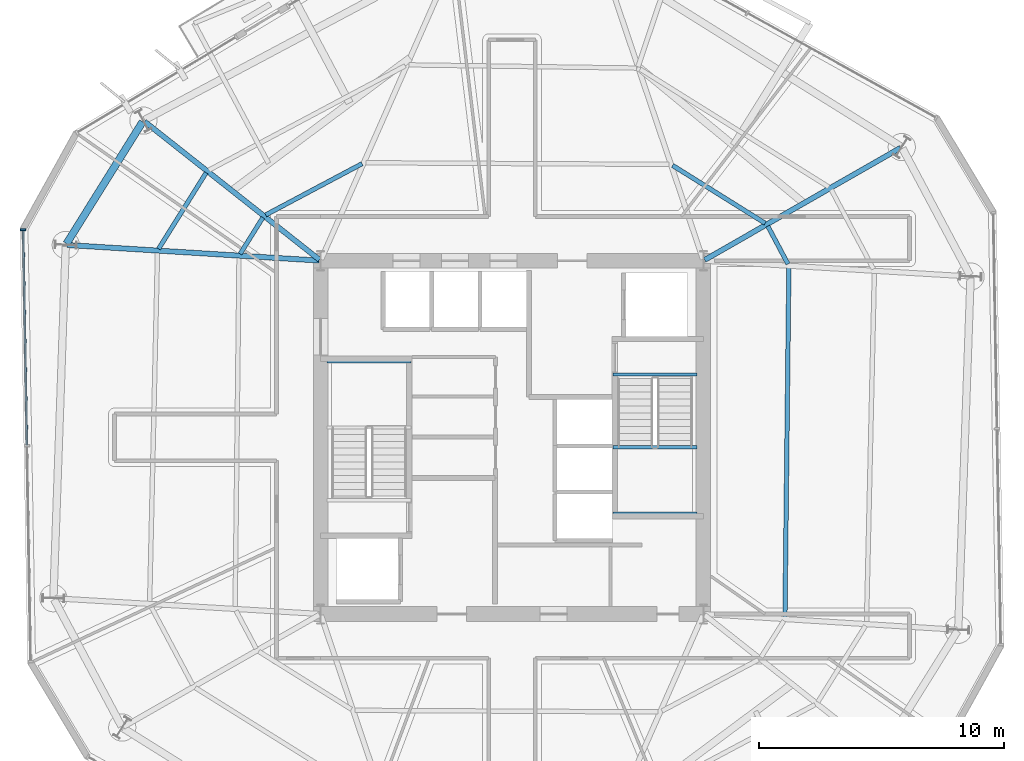
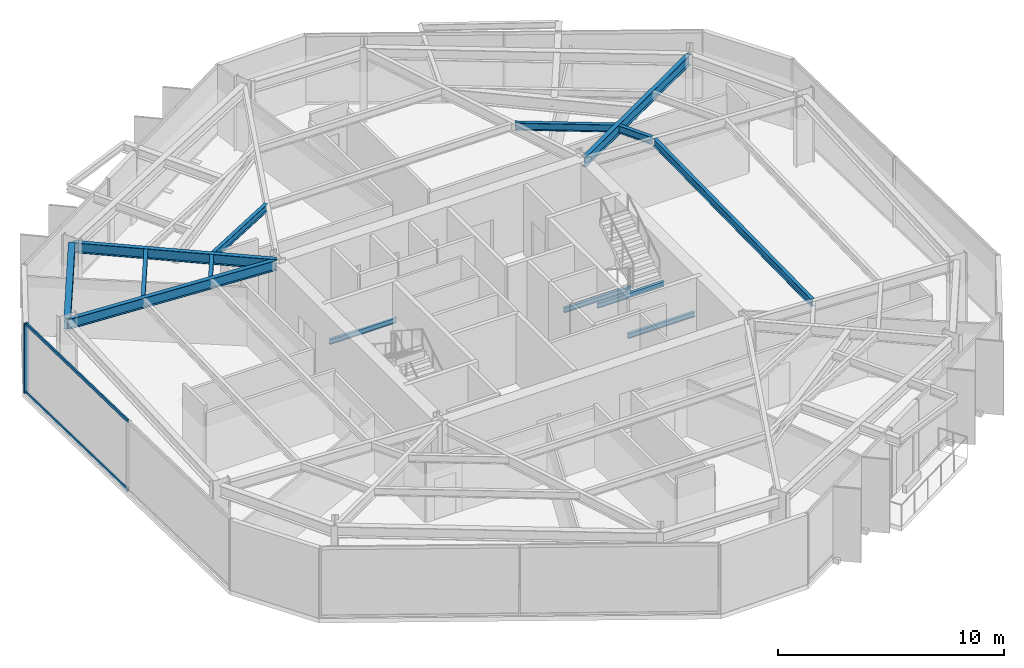
# One storey, part 3 of 11: 14 beams, 3 members, 1 element without a shape of its own.
"""IFC4 building model written with IfcOpenShell, lengths in metres."""

from ifc_helpers import new_model, si_unit, direction, frame, origin, origin_2d, place, context, subcontext, project, spatial, rectangle, i_section, extrude, material, layer, layer_set, material_profile, profile_set, type_object, element, aggregate, save


model = new_model("IFC4")

# Units and contexts
model_context = context("Model", 3, precision=1e-05, world=origin(), true_north=direction((0.0, 1.0)))
body_context = subcontext(model_context, "Body", "Model", "MODEL_VIEW")
ifc_project = project(units=[si_unit("LENGTHUNIT", "METRE"), si_unit("AREAUNIT", "SQUARE_METRE"), si_unit("VOLUMEUNIT", "CUBIC_METRE"), si_unit("PLANEANGLEUNIT", "RADIAN"), si_unit("MASSUNIT", "GRAM", prefix="KILO")], contexts=[model_context])

# Site, building, storey
site_placement = place(None, origin())
site = spatial("IfcSite", under=ifc_project, at=site_placement, CompositionType="ELEMENT")
building_placement = place(site_placement, origin())
building = spatial("IfcBuilding", under=site, at=building_placement, Name="Kranzbogen Civic Tower", CompositionType="ELEMENT")
storey_placement = place(building_placement, frame((0.0, 0.0, 146.39990234375)))
storey = spatial("IfcBuildingStorey", under=building, at=storey_placement, Name="L35", CompositionType="ELEMENT", Elevation=146.39990234375)

# Curtain wall, members
ifc_material_1 = material(Name="Pale Anodised Aluminium", Category="aluminium")
ifc_layer = layer(ifc_material_1, 0.219970703125, Name="Pale Anodised Aluminium")
ifc_layer_set = layer_set([ifc_layer], Name="Pale Anodised Aluminium")
curtain_wall_type = type_object("IfcCurtainWallType", Name="Zone 2 Stick Curtain Wall System CW-03", PredefinedType="USERDEFINED", material=ifc_layer_set)
curtain_wall_placement = place(storey_placement, origin())
curtain_wall = element("IfcCurtainWall", 1, at=curtain_wall_placement, inside=storey, type_object=curtain_wall_type, Name="L35 curtain wall CW-L35-F3", ObjectType="STICK CURTAIN WALL", PredefinedType="USERDEFINED")
ifc_material_profile_1 = material_profile(ifc_material_1, rectangle(XDim=0.074951171875, YDim=0.219970703125, at=origin_2d()), Name="ALU-M 75x220")
ifc_profile_set_1 = profile_set([ifc_material_profile_1], Name="Pale Anodised Aluminium")
member_type_1 = type_object("IfcMemberType", Name="Curtain Wall Mullion ALU-M 75x220", PredefinedType="MULLION", material=ifc_profile_set_1)
member_1_placement = place(storey_placement, frame((5.07763671875, 33.4580078125, 0.0), z_axis=(0.0, 0.0, 1.0), x_axis=(0.017431971008, -0.999848051649, 0.0)))
member_1 = element("IfcMember", 2, at=member_1_placement, type_object=member_type_1, Name="CW-03 mullion 1", PredefinedType="MULLION", context=body_context, shape_type="SweptSolid", body=[
    extrude(rectangle(XDim=0.074951171875, YDim=0.219970703125, at=origin_2d()), origin(), (0.0, 0.0, 1.0), 3.760009765625),
])
ifc_material_profile_2 = material_profile(ifc_material_1, rectangle(XDim=0.074951171875, YDim=0.1650390625, at=origin_2d()), Name="ALU-T 75x165")
ifc_profile_set_2 = profile_set([ifc_material_profile_2], Name="Pale Anodised Aluminium")
member_type_2 = type_object("IfcMemberType", Name="Curtain Wall Transom ALU-T 75x165", PredefinedType="USERDEFINED", material=ifc_profile_set_2)
member_2_placement = place(storey_placement, frame((5.078125, 33.427978515625, 0.030029296875), z_axis=(0.01742216891, -0.999848222497, 0.0), x_axis=(0.999848222497, 0.01742216891, 0.0)))
member_2 = element("IfcMember", 3, at=member_2_placement, type_object=member_type_2, Name="CW-03 transom 1.1", ObjectType="TRANSOM", PredefinedType="USERDEFINED", context=body_context, shape_type="SweptSolid", body=[
    extrude(rectangle(XDim=0.074951171875, YDim=0.1650390625, at=origin_2d()), origin(), (0.0, 0.0, 1.0), 8.744140625),
])
member_3_placement = place(storey_placement, frame((5.078125, 33.427978515625, 3.72998046875), z_axis=(0.01742216891, -0.999848222497, 0.0), x_axis=(0.999848222497, 0.01742216891, 0.0)))
member_3 = element("IfcMember", 4, at=member_3_placement, type_object=member_type_2, Name="CW-03 transom 1.2", ObjectType="TRANSOM", PredefinedType="USERDEFINED", context=body_context, shape_type="SweptSolid", body=[
    extrude(rectangle(XDim=0.074951171875, YDim=0.1650390625, at=origin_2d()), origin(), (0.0, 0.0, 1.0), 8.744140625),
])
aggregate(curtain_wall, [member_1, member_2, member_3])

# Beams
ifc_material_2 = material(Name="Steel S355", Category="steel")
ifc_material_profile_3 = material_profile(ifc_material_2, i_section(OverallWidth=0.300048828125, OverallDepth=0.60009765625, WebThickness=0.015380859375, FlangeThickness=0.030029296875, at=origin_2d()), Name="HEB 600")
ifc_profile_set_3 = profile_set([ifc_material_profile_3], Name="Steel S355")
beam_type_1 = type_object("IfcBeamType", Name="Perimeter Tube Spandrel Beam HEB 600", PredefinedType="SPANDREL", material=ifc_profile_set_3)
beam_1_placement = place(storey_placement, frame((9.945068359375, 37.85693359375, 3.460205078125), z_axis=(-0.529863902903, -0.848082687242, 0.0), x_axis=(0.848082687242, -0.529863902903, 0.0)))
element("IfcBeam", 5, at=beam_1_placement, inside=storey, type_object=beam_type_1, Name="L35 perimeter spandrel beam 11", PredefinedType="SPANDREL", context=body_context, shape_type="SweptSolid", body=[
    extrude(i_section(OverallWidth=0.300048828125, OverallDepth=0.60009765625, WebThickness=0.015380859375, FlangeThickness=0.030029296875, at=origin_2d()), origin(), (0.0, 0.0, 1.0), 5.850830078125),
])
ifc_material_profile_4 = material_profile(ifc_material_2, i_section(OverallWidth=0.2099609375, OverallDepth=0.550048828125, WebThickness=0.010986328125, FlangeThickness=0.01708984375, at=origin_2d()), Name="IPE 550")
ifc_profile_set_4 = profile_set([ifc_material_profile_4], Name="Steel S355")
beam_type_2 = type_object("IfcBeamType", Name="Radial Tower Floor Girder IPE 550", PredefinedType="BEAM", material=ifc_profile_set_4)
beam_2_placement = place(storey_placement, frame((40.833984375, 36.799072265625, 3.485107421875), z_axis=(-0.867868812182, -0.496793442833, 0.0), x_axis=(0.496793442833, -0.867868812182, 0.0)))
element("IfcBeam", 6, at=beam_2_placement, inside=storey, type_object=beam_type_2, Name="L35 radial floor girder 08", PredefinedType="BEAM", context=body_context, shape_type="SweptSolid", body=[
    extrude(i_section(OverallWidth=0.2099609375, OverallDepth=0.550048828125, WebThickness=0.010986328125, FlangeThickness=0.01708984375, at=origin_2d()), origin(), (0.0, 0.0, 1.0), 9.197265625),
])
beam_3_placement = place(storey_placement, frame((10.02392578125, 37.87109375, 3.485107421875), z_axis=(0.78457455683, -0.620034486763, 0.0), x_axis=(0.620034486763, 0.78457455683, 0.0)))
element("IfcBeam", 7, at=beam_3_placement, inside=storey, type_object=beam_type_2, Name="L35 radial floor girder 11", PredefinedType="BEAM", context=body_context, shape_type="SweptSolid", body=[
    extrude(i_section(OverallWidth=0.2099609375, OverallDepth=0.550048828125, WebThickness=0.010986328125, FlangeThickness=0.01708984375, at=origin_2d()), origin(), (0.0, 0.0, 1.0), 9.086669921875),
])
beam_4_placement = place(storey_placement, frame((6.873046875, 32.840087890625, 3.485107421875), z_axis=(0.998086872961, -0.061827130147, 0.0), x_axis=(0.061827130147, 0.998086872961, 0.0)))
element("IfcBeam", 8, at=beam_4_placement, inside=storey, type_object=beam_type_2, Name="L35 radial floor girder 12", PredefinedType="BEAM", context=body_context, shape_type="SweptSolid", body=[
    extrude(i_section(OverallWidth=0.2099609375, OverallDepth=0.550048828125, WebThickness=0.010986328125, FlangeThickness=0.01708984375, at=origin_2d()), origin(), (0.0, 0.0, 1.0), 10.28662109375),
])
ifc_material_profile_5 = material_profile(ifc_material_2, i_section(OverallWidth=0.179931640625, OverallDepth=0.39990234375, WebThickness=0.008544921875, FlangeThickness=0.013427734375, at=origin_2d()), Name="IPE 400")
ifc_profile_set_5 = profile_set([ifc_material_profile_5], Name="Steel S355")
beam_type_3 = type_object("IfcBeamType", Name="Secondary Composite Floor Joist IPE 400", PredefinedType="JOIST", material=ifc_profile_set_5)
beam_5_placement = place(storey_placement, frame((36.125, 17.674072265625, 3.56005859375), z_axis=(0.011160516663, 0.999937719494, 0.0), x_axis=(-0.999937719494, 0.011160516663, 0.0)))
element("IfcBeam", 9, at=beam_5_placement, inside=storey, type_object=beam_type_3, Name="L35 secondary floor joist 2.06", PredefinedType="JOIST", context=body_context, shape_type="SweptSolid", body=[
    extrude(i_section(OverallWidth=0.179931640625, OverallDepth=0.39990234375, WebThickness=0.008544921875, FlangeThickness=0.013427734375, at=origin_2d()), origin(), (0.0, 0.0, 1.0), 14.240966796875),
])
beam_6_placement = place(storey_placement, frame((36.2470703125, 32.06494140625, 3.56005859375), z_axis=(-0.46943723363, 0.882965845139, 0.0), x_axis=(-0.882965845139, -0.46943723363, 0.0)))
element("IfcBeam", 10, at=beam_6_placement, inside=storey, type_object=beam_type_3, Name="L35 secondary floor joist 2.07", PredefinedType="JOIST", context=body_context, shape_type="SweptSolid", body=[
    extrude(i_section(OverallWidth=0.179931640625, OverallDepth=0.39990234375, WebThickness=0.008544921875, FlangeThickness=0.013427734375, at=origin_2d()), origin(), (0.0, 0.0, 1.0), 1.7509765625),
])
beam_7_placement = place(storey_placement, frame((35.320068359375, 33.72412109375, 3.56005859375), z_axis=(-0.848093834398, 0.529846060716, 0.0), x_axis=(-0.529846060716, -0.848093834398, 0.0)))
element("IfcBeam", 11, at=beam_7_placement, inside=storey, type_object=beam_type_3, Name="L35 secondary floor joist 2.08", PredefinedType="JOIST", context=body_context, shape_type="SweptSolid", body=[
    extrude(i_section(OverallWidth=0.179931640625, OverallDepth=0.39990234375, WebThickness=0.008544921875, FlangeThickness=0.013427734375, at=origin_2d()), origin(), (0.0, 0.0, 1.0), 4.4501953125),
])
beam_8_placement = place(storey_placement, frame((18.888916015625, 36.153076171875, 3.56005859375), z_axis=(-0.882991399158, -0.469389165844, 0.0), x_axis=(0.469389165844, -0.882991399158, 0.0)))
element("IfcBeam", 12, at=beam_8_placement, inside=storey, type_object=beam_type_3, Name="L35 secondary floor joist 2.10", PredefinedType="JOIST", context=body_context, shape_type="SweptSolid", body=[
    extrude(i_section(OverallWidth=0.179931640625, OverallDepth=0.39990234375, WebThickness=0.008544921875, FlangeThickness=0.013427734375, at=origin_2d()), origin(), (0.0, 0.0, 1.0), 4.45068359375),
])
beam_9_placement = place(storey_placement, frame((12.534912109375, 35.784912109375, 3.56005859375), z_axis=(-0.529867065107, -0.848080711557, 0.0), x_axis=(0.848080711557, -0.529867065107, 0.0)))
element("IfcBeam", 13, at=beam_9_placement, inside=storey, type_object=beam_type_3, Name="L35 secondary floor joist 1.11", PredefinedType="JOIST", context=body_context, shape_type="SweptSolid", body=[
    extrude(i_section(OverallWidth=0.179931640625, OverallDepth=0.39990234375, WebThickness=0.008544921875, FlangeThickness=0.013427734375, at=origin_2d()), origin(), (0.0, 0.0, 1.0), 3.6611328125),
])
beam_10_placement = place(storey_placement, frame((14.845947265625, 33.958984375, 3.56005859375), z_axis=(-0.529572623603, -0.84826460278, 0.0), x_axis=(0.84826460278, -0.529572623603, 0.0)))
element("IfcBeam", 14, at=beam_10_placement, inside=storey, type_object=beam_type_3, Name="L35 secondary floor joist 2.11", PredefinedType="JOIST", context=body_context, shape_type="SweptSolid", body=[
    extrude(i_section(OverallWidth=0.179931640625, OverallDepth=0.39990234375, WebThickness=0.008544921875, FlangeThickness=0.013427734375, at=origin_2d()), origin(), (0.0, 0.0, 1.0), 1.75048828125),
])
ifc_material_profile_6 = material_profile(ifc_material_2, i_section(OverallWidth=0.135009765625, OverallDepth=0.27001953125, WebThickness=0.006591796875, FlangeThickness=0.01025390625, at=origin_2d()), Name="IPE 270")
ifc_profile_set_6 = profile_set([ifc_material_profile_6], Name="Steel S355")
beam_type_4 = type_object("IfcBeamType", Name="Stair Landing Support Beam IPE 270", PredefinedType="JOIST", material=ifc_profile_set_6)
for number, where, z_axis, x_axis, name in (
    (15, (20.8798828125, 28.10009765625, 1.6650390625), (-1.0, 0.0, 0.0), (0.0, -1.0, 0.0), "L35 ST-T1 landing support beam 1.2"),
    (16, (29.1201171875, 27.56005859375, -0.375), (1.0, 0.0, 0.0), (0.0, 1.0, 0.0), "L35 ST-T2 stair floor header beam"),
    (17, (29.1201171875, 24.60009765625, 1.6650390625), (1.0, 0.0, 0.0), (0.0, 1.0, 0.0), "L35 ST-T2 landing support beam 1.1"),
    (18, (29.1201171875, 21.89990234375, 1.6650390625), (1.0, 0.0, 0.0), (0.0, 1.0, 0.0), "L35 ST-T2 landing support beam 1.2"),
):
    element("IfcBeam", number, at=place(storey_placement, frame(where, z_axis=z_axis, x_axis=x_axis)), inside=storey, type_object=beam_type_4, Name=name, PredefinedType="JOIST", context=body_context, shape_type="SweptSolid", body=[
        extrude(i_section(OverallWidth=0.135009765625, OverallDepth=0.27001953125, WebThickness=0.006591796875, FlangeThickness=0.01025390625, at=origin_2d()), origin(), (0.0, 0.0, 1.0), 3.409912109375),
    ])

save(model, "model.ifc")
